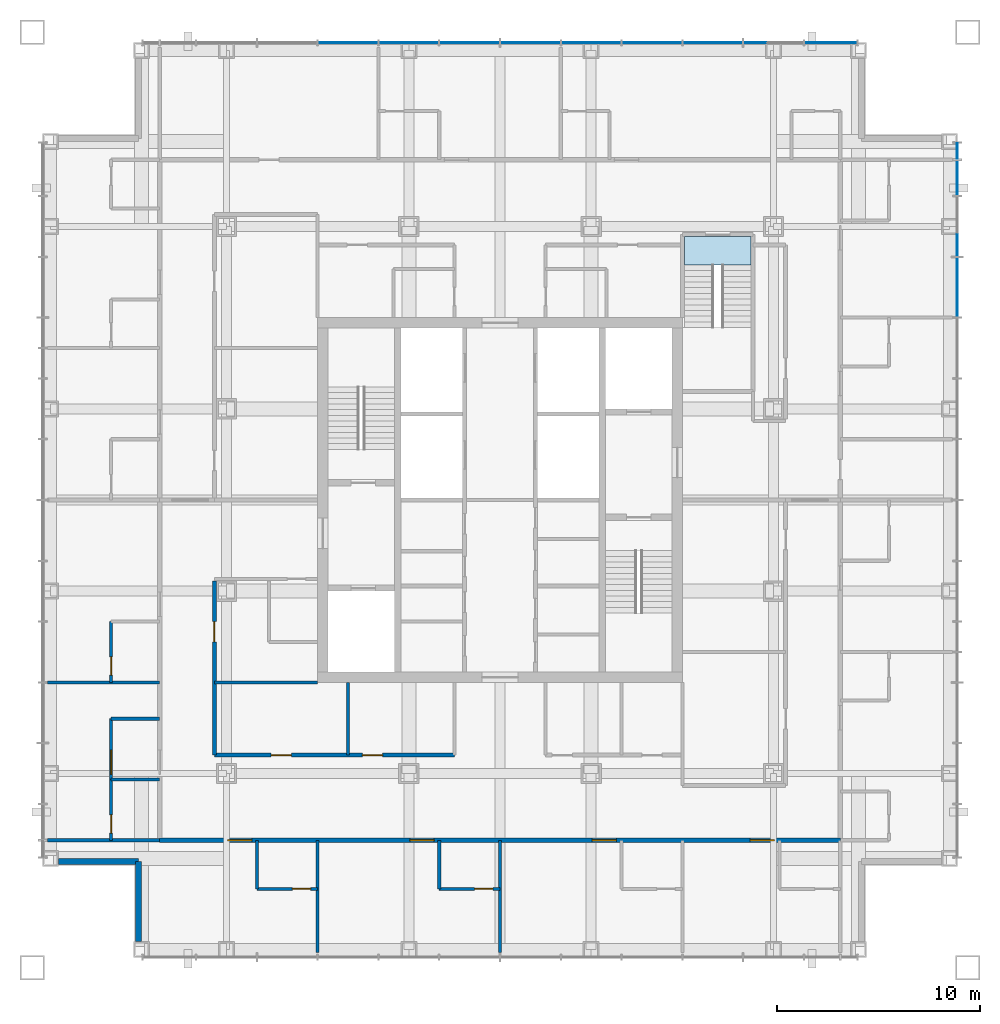
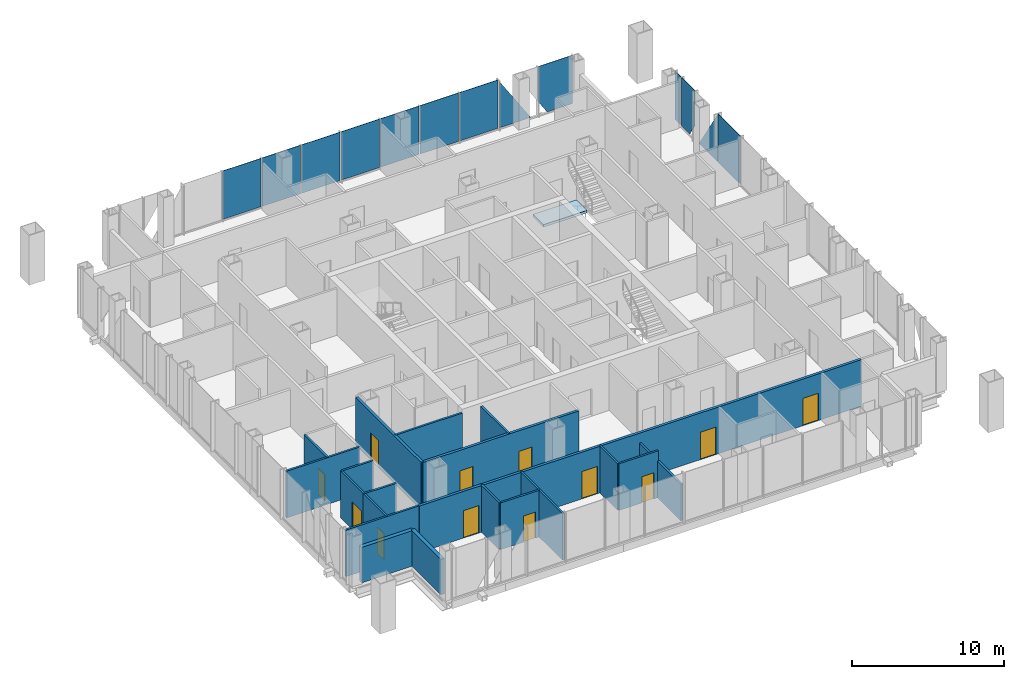
# One storey, part 7 of 12: 20 walls, 13 plates, 12 doors, 1 slab, 12 openings, 3 elements without a shape of their own.
"""IFC4 building model written with IfcOpenShell, lengths in metres."""

from ifc_helpers import new_model, si_unit, direction, frame, frame_2d, origin, origin_2d, place, context, subcontext, project, spatial, polyline, rectangle, outline, extrude, material, layer, layer_set, type_object, element, fill, aggregate, save


model = new_model("IFC4")

# Units and contexts
model_context = context("Model", 3, precision=1e-05, world=origin(), true_north=direction((0.0, 1.0)))
body_context = subcontext(model_context, "Body", "Model", "MODEL_VIEW")
ifc_project = project(units=[si_unit("LENGTHUNIT", "METRE"), si_unit("AREAUNIT", "SQUARE_METRE"), si_unit("VOLUMEUNIT", "CUBIC_METRE"), si_unit("PLANEANGLEUNIT", "RADIAN"), si_unit("MASSUNIT", "GRAM", prefix="KILO")], contexts=[model_context])

# Site, building, storey
site_placement = place(None, origin())
site = spatial("IfcSite", under=ifc_project, at=site_placement, CompositionType="ELEMENT")
building_placement = place(site_placement, origin())
building = spatial("IfcBuilding", under=site, at=building_placement, Name="Malebo Sky Hospital", CompositionType="ELEMENT")
storey_placement = place(building_placement, frame((0.0, 0.0, 221.0)))
storey = spatial("IfcBuildingStorey", under=building, at=storey_placement, Name="L53", CompositionType="ELEMENT", Elevation=221.0)

# Stair, slab
ifc_material_1 = material(Name="Concrete C40/50", Category="concrete")
stair_type = type_object("IfcStairType", Name="HALF-TURN STAIR 1400 R167", PredefinedType="HALF_TURN_STAIR", material=ifc_material_1)
stair_placement = place(storey_placement, origin())
stair = element("IfcStair", 1, at=stair_placement, inside=storey, type_object=stair_type, Name="Stair S3 L53 type ST1B", PredefinedType="HALF_TURN_STAIR")
ifc_layer_1 = layer(ifc_material_1, 0.199951171875)
ifc_layer_set_1 = layer_set([ifc_layer_1], Name="STAIR LANDING 200")
slab_type = type_object("IfcSlabType", Name="STAIR LANDING 200", PredefinedType="LANDING", material=ifc_layer_set_1)
slab_placement = place(storey_placement, frame((0.0, 0.0, -0.199951171875)))
slab = element("IfcSlab", 2, at=slab_placement, type_object=slab_type, Name="S3 landing 1", PredefinedType="LANDING", context=body_context, shape_type="SweptSolid", body=[
    extrude(outline(polyline([(69.10009765625, 73.60009765625), (72.39990234375, 73.60009765625), (72.39990234375, 75.0), (69.10009765625, 75.0), (69.10009765625, 73.60009765625)])), origin(), (0.0, 0.0, 1.0), 0.199951171875),
])
aggregate(stair, [slab])

# Curtain wall, plates
ifc_material_2 = material(Name="Anodised aluminium, natural silver", Category="aluminium")
ifc_layer_2 = layer(ifc_material_2, 0.25)
ifc_layer_set_2 = layer_set([ifc_layer_2], Name="WARD CURTAIN WALL NORTH AND SOUTH")
curtain_wall_type_1 = type_object("IfcCurtainWallType", Name="WARD CURTAIN WALL NORTH AND SOUTH", PredefinedType="NOTDEFINED", material=ifc_layer_set_2)
curtain_wall_1_placement = place(storey_placement, origin())
curtain_wall_1 = element("IfcCurtainWall", 3, at=curtain_wall_1_placement, inside=storey, type_object=curtain_wall_type_1, Name="NS curtain wall N", PredefinedType="NOTDEFINED")
ifc_material_3 = material(Name="Clear low-iron double glazing", Category="glass")
ifc_layer_3 = layer(ifc_material_3, 0.031982421875)
ifc_layer_set_3 = layer_set([ifc_layer_3], Name="VISION PANEL CLEAR 32")
plate_type = type_object("IfcPlateType", Name="VISION PANEL CLEAR 32", PredefinedType="CURTAIN_PANEL", material=ifc_layer_set_3)
plate_1_placement = place(storey_placement, frame((52.5, 84.574951171875, 0.10009765625), z_axis=(0.0, 0.0, 1.0), x_axis=(1.0, 0.0, 0.0)))
plate_1 = element("IfcPlate", 4, at=plate_1_placement, type_object=plate_type, Name="Panel 5", PredefinedType="CURTAIN_PANEL", context=body_context, shape_type="SweptSolid", body=[
    extrude(rectangle(XDim=2.925048828125, YDim=0.031982421875, at=origin_2d()), origin(), (0.0, 0.0, 1.0), 3.889892578125),
])
plate_2_placement = place(storey_placement, frame((55.5, 84.574951171875, 0.10009765625), z_axis=(0.0, 0.0, 1.0), x_axis=(1.0, 0.0, 0.0)))
plate_2 = element("IfcPlate", 5, at=plate_2_placement, type_object=plate_type, Name="Panel 6", PredefinedType="CURTAIN_PANEL", context=body_context, shape_type="SweptSolid", body=[
    extrude(rectangle(XDim=2.925048828125, YDim=0.031982421875, at=origin_2d()), origin(), (0.0, 0.0, 1.0), 3.889892578125),
])
plate_3_placement = place(storey_placement, frame((58.5, 84.574951171875, 0.10009765625), z_axis=(0.0, 0.0, 1.0), x_axis=(1.0, 0.0, 0.0)))
plate_3 = element("IfcPlate", 6, at=plate_3_placement, type_object=plate_type, Name="Panel 7", PredefinedType="CURTAIN_PANEL", context=body_context, shape_type="SweptSolid", body=[
    extrude(rectangle(XDim=2.925048828125, YDim=0.031982421875, at=origin_2d()), origin(), (0.0, 0.0, 1.0), 3.889892578125),
])
plate_4_placement = place(storey_placement, frame((61.5, 84.574951171875, 0.10009765625), z_axis=(0.0, 0.0, 1.0), x_axis=(1.0, 0.0, 0.0)))
plate_4 = element("IfcPlate", 7, at=plate_4_placement, type_object=plate_type, Name="Panel 8", PredefinedType="CURTAIN_PANEL", context=body_context, shape_type="SweptSolid", body=[
    extrude(rectangle(XDim=2.925048828125, YDim=0.031982421875, at=origin_2d()), origin(), (0.0, 0.0, 1.0), 3.889892578125),
])
plate_5_placement = place(storey_placement, frame((64.5, 84.574951171875, 0.10009765625), z_axis=(0.0, 0.0, 1.0), x_axis=(1.0, 0.0, 0.0)))
plate_5 = element("IfcPlate", 8, at=plate_5_placement, type_object=plate_type, Name="Panel 9", PredefinedType="CURTAIN_PANEL", context=body_context, shape_type="SweptSolid", body=[
    extrude(rectangle(XDim=2.925048828125, YDim=0.031982421875, at=origin_2d()), origin(), (0.0, 0.0, 1.0), 3.889892578125),
])
plate_6_placement = place(storey_placement, frame((67.5, 84.574951171875, 0.10009765625), z_axis=(0.0, 0.0, 1.0), x_axis=(1.0, 0.0, 0.0)))
plate_6 = element("IfcPlate", 9, at=plate_6_placement, type_object=plate_type, Name="Panel 10", PredefinedType="CURTAIN_PANEL", context=body_context, shape_type="SweptSolid", body=[
    extrude(rectangle(XDim=2.925048828125, YDim=0.031982421875, at=origin_2d()), origin(), (0.0, 0.0, 1.0), 3.889892578125),
])
plate_7_placement = place(storey_placement, frame((70.5, 84.574951171875, 0.10009765625), z_axis=(0.0, 0.0, 1.0), x_axis=(1.0, 0.0, 0.0)))
plate_7 = element("IfcPlate", 10, at=plate_7_placement, type_object=plate_type, Name="Panel 11", PredefinedType="CURTAIN_PANEL", context=body_context, shape_type="SweptSolid", body=[
    extrude(outline(polyline([(-1.46240234375, 0.0), (1.46240234375, 0.0), (1.46240234375, 3.88427734375), (1.458740234375, 3.889892578125), (-1.46240234375, 3.889892578125), (-1.46240234375, 0.0)])), frame((0.0, 0.01611328125, 0.0), z_axis=(0.0, -1.0, 0.0), x_axis=(1.0, 0.0, 0.0)), (0.0, 0.0, 1.0), 0.031982421875),
])
plate_8_placement = place(storey_placement, frame((73.24609375, 84.574951171875, 0.10009765625), z_axis=(0.0, 0.0, 1.0), x_axis=(1.0, 0.0, 0.0)))
plate_8 = element("IfcPlate", 11, at=plate_8_placement, type_object=plate_type, Name="Panel 12", PredefinedType="CURTAIN_PANEL", context=body_context, shape_type="SweptSolid", body=[
    extrude(outline(polyline([(-1.208740234375, 0.0), (1.208740234375, 0.0), (-1.208740234375, 3.767333984375), (-1.208740234375, 0.0)])), frame((0.0, 0.01611328125, 0.0), z_axis=(0.0, -1.0, 0.0), x_axis=(1.0, 0.0, 0.0)), (0.0, 0.0, 1.0), 0.031982421875),
])
plate_9_placement = place(storey_placement, frame((76.331298828125, 84.574951171875, 0.10009765625), z_axis=(0.0, 0.0, 1.0), x_axis=(1.0, 0.0, 0.0)))
plate_9 = element("IfcPlate", 12, at=plate_9_placement, type_object=plate_type, Name="Panel 13", PredefinedType="CURTAIN_PANEL", context=body_context, shape_type="SweptSolid", body=[
    extrude(outline(polyline([(-0.627685546875, 0.0), (1.293701171875, 0.0), (1.293701171875, 3.889892578125), (-1.293701171875, 3.889892578125), (-1.293701171875, 1.0380859375), (-0.627685546875, 0.0)])), frame((0.0, 0.01611328125, 0.0), z_axis=(0.0, -1.0, 0.0), x_axis=(1.0, 0.0, 0.0)), (0.0, 0.0, 1.0), 0.031982421875),
])
aggregate(curtain_wall_1, [plate_1, plate_2, plate_3, plate_4, plate_5, plate_6, plate_7, plate_8, plate_9])

ifc_layer_4 = layer(ifc_material_2, 0.25)
ifc_layer_set_4 = layer_set([ifc_layer_4], Name="WARD CURTAIN WALL EAST AND WEST")
curtain_wall_type_2 = type_object("IfcCurtainWallType", Name="WARD CURTAIN WALL EAST AND WEST", PredefinedType="NOTDEFINED", material=ifc_layer_set_4)
curtain_wall_2_placement = place(storey_placement, origin())
curtain_wall_2 = element("IfcCurtainWall", 13, at=curtain_wall_2_placement, inside=storey, type_object=curtain_wall_type_2, Name="EW curtain wall E", PredefinedType="NOTDEFINED")
plate_10_placement = place(storey_placement, frame((82.574951171875, 79.231201171875, 0.10009765625), z_axis=(0.0, 0.0, 1.0), x_axis=(0.0, -1.0, 0.0)))
plate_10 = element("IfcPlate", 14, at=plate_10_placement, type_object=plate_type, Name="Panel 1", PredefinedType="CURTAIN_PANEL", context=body_context, shape_type="SweptSolid", body=[
    extrude(rectangle(XDim=0.78759765625, YDim=0.031982421875, at=origin_2d()), origin(), (0.0, 0.0, 1.0), 3.889892578125),
])
plate_11_placement = place(storey_placement, frame((82.574951171875, 77.89990234375, 0.10009765625), z_axis=(0.0, 0.0, 1.0), x_axis=(0.0, -1.0, 0.0)))
plate_11 = element("IfcPlate", 15, at=plate_11_placement, type_object=plate_type, Name="Panel 2", PredefinedType="CURTAIN_PANEL", context=body_context, shape_type="SweptSolid", body=[
    extrude(outline(polyline([(-0.862548828125, 0.0), (0.1962890625, 0.0), (0.862548828125, 1.0380859375), (0.862548828125, 3.889892578125), (-0.862548828125, 3.889892578125), (-0.862548828125, 0.0)])), frame((0.0, 0.01611328125, 0.0), z_axis=(0.0, -1.0, 0.0), x_axis=(1.0, 0.0, 0.0)), (0.0, 0.0, 1.0), 0.031982421875),
])
plate_12_placement = place(storey_placement, frame((82.574951171875, 75.24609375, 0.10009765625), z_axis=(0.0, 0.0, 1.0), x_axis=(0.0, -1.0, 0.0)))
plate_12 = element("IfcPlate", 16, at=plate_12_placement, type_object=plate_type, Name="Panel 3", PredefinedType="CURTAIN_PANEL", context=body_context, shape_type="SweptSolid", body=[
    extrude(outline(polyline([(-1.208740234375, 0.0), (1.208740234375, 0.0), (1.208740234375, 3.767333984375), (-1.208740234375, 0.0)])), frame((0.0, 0.01611328125, 0.0), z_axis=(0.0, -1.0, 0.0), x_axis=(1.0, 0.0, 0.0)), (0.0, 0.0, 1.0), 0.031982421875),
])
plate_13_placement = place(storey_placement, frame((82.574951171875, 72.5, 0.10009765625), z_axis=(0.0, 0.0, 1.0), x_axis=(0.0, -1.0, 0.0)))
plate_13 = element("IfcPlate", 17, at=plate_13_placement, type_object=plate_type, Name="Panel 4", PredefinedType="CURTAIN_PANEL", context=body_context, shape_type="SweptSolid", body=[
    extrude(outline(polyline([(-1.46240234375, 0.0), (1.46240234375, 0.0), (1.46240234375, 3.889892578125), (-1.458740234375, 3.889892578125), (-1.46240234375, 3.88427734375), (-1.46240234375, 0.0)])), frame((0.0, 0.01611328125, 0.0), z_axis=(0.0, -1.0, 0.0), x_axis=(1.0, 0.0, 0.0)), (0.0, 0.0, 1.0), 0.031982421875),
])
aggregate(curtain_wall_2, [plate_10, plate_11, plate_12, plate_13])

# Wall, opening, door
ifc_material_4 = material(Name="Gypsum board on steel studs", Category="steel")
ifc_layer_5 = layer(ifc_material_4, 0.199951171875)
ifc_layer_set_5 = layer_set([ifc_layer_5], Name="CORRIDOR WALL 200")
wall_type_1 = type_object("IfcWallType", Name="CORRIDOR WALL 200", PredefinedType="PARTITIONING", material=ifc_layer_set_5)
wall_1_placement = place(storey_placement, frame((45.89990234375, 49.39990234375, 0.0), z_axis=(0.0, 0.0, 1.0), x_axis=(0.0, 1.0, 0.0)))
wall_1 = element("IfcWall", 18, at=wall_1_placement, inside=storey, type_object=wall_type_1, Name="Corridor Wall 200 WCI1", PredefinedType="PARTITIONING", context=body_context, shape_type="SweptSolid", body=[
    extrude(rectangle(XDim=8.60009765625, YDim=0.199951171875, at=frame_2d((4.300048828125, 0.0))), origin(), (0.0, 0.0, 1.0), 3.75),
])
opening_1_placement = place(wall_1_placement, frame((5.60009765625, 0.0, 0.0)))
opening_1 = element("IfcOpeningElement", 19, at=opening_1_placement, cuts=wall_1, Name="Opening D03", PredefinedType="OPENING", context=body_context, shape_type="SweptSolid", body=[
    extrude(rectangle(XDim=1.0, YDim=2.10009765625, at=frame_2d((0.5, 1.050048828125))), frame((0.0, 0.10986328125, 0.0), z_axis=(0.0, -1.0, 0.0), x_axis=(1.0, 0.0, 0.0)), (0.0, 0.0, 1.0), 0.219970703125),
])
ifc_material_5 = material(Name="Hardwood-faced door leaf in steel frame", Category="steel")
door_type_1 = type_object("IfcDoorType", Name="ROOM DOOR 1000", OperationType="SINGLE_SWING_LEFT", PredefinedType="DOOR", material=ifc_material_5)
door_1_placement = place(opening_1_placement, origin())
door_1 = element("IfcDoor", 20, at=door_1_placement, inside=storey, type_object=door_type_1, Name="Medication room door", OperationType="SINGLE_SWING_LEFT", OverallHeight=2.10009765625, OverallWidth=1.0, PredefinedType="DOOR", context=body_context, shape_type="SweptSolid", body=[
    extrude(rectangle(XDim=1.0, YDim=2.10009765625, at=frame_2d((0.5, 1.050048828125))), frame((0.0, 0.02490234375, 0.0), z_axis=(0.0, -1.0, 0.0), x_axis=(1.0, 0.0, 0.0)), (0.0, 0.0, 1.0), 0.050048828125),
])
fill(opening_1, door_1)

# Wall, openings, doors
wall_2_placement = place(storey_placement, frame((76.800048828125, 45.199951171875, 0.0), z_axis=(0.0, 0.0, 1.0), x_axis=(-1.0, 0.0, 0.0)))
wall_2 = element("IfcWall", 21, at=wall_2_placement, inside=storey, type_object=wall_type_1, Name="Corridor Wall 200 SCO", PredefinedType="PARTITIONING", context=body_context, shape_type="SweptSolid", body=[
    extrude(rectangle(XDim=33.60009765625, YDim=0.199951171875, at=frame_2d((16.800048828125, 0.0))), origin(), (0.0, 0.0, 1.0), 3.75),
])
opening_2_placement = place(wall_2_placement, frame((3.25, 0.0, 0.0)))
opening_2 = element("IfcOpeningElement", 22, at=opening_2_placement, cuts=wall_2, Name="Opening D01", PredefinedType="OPENING", context=body_context, shape_type="SweptSolid", body=[
    extrude(rectangle(XDim=1.199951171875, YDim=2.199951171875, at=frame_2d((0.60009765625, 1.10009765625))), frame((0.0, 0.10986328125, 0.0), z_axis=(0.0, -1.0, 0.0), x_axis=(1.0, 0.0, 0.0)), (0.0, 0.0, 1.0), 0.219970703125),
])
opening_3_placement = place(wall_2_placement, frame((11.050048828125, 0.0, 0.0)))
opening_3 = element("IfcOpeningElement", 23, at=opening_3_placement, cuts=wall_2, Name="Opening D01", PredefinedType="OPENING", context=body_context, shape_type="SweptSolid", body=[
    extrude(rectangle(XDim=1.199951171875, YDim=2.199951171875, at=frame_2d((0.60009765625, 1.10009765625))), frame((0.0, 0.10986328125, 0.0), z_axis=(0.0, -1.0, 0.0), x_axis=(1.0, 0.0, 0.0)), (0.0, 0.0, 1.0), 0.219970703125),
])
opening_4_placement = place(wall_2_placement, frame((20.050048828125, 0.0, 0.0)))
opening_4 = element("IfcOpeningElement", 24, at=opening_4_placement, cuts=wall_2, Name="Opening D01", PredefinedType="OPENING", context=body_context, shape_type="SweptSolid", body=[
    extrude(rectangle(XDim=1.199951171875, YDim=2.199951171875, at=frame_2d((0.60009765625, 1.10009765625))), frame((0.0, 0.10986328125, 0.0), z_axis=(0.0, -1.0, 0.0), x_axis=(1.0, 0.0, 0.0)), (0.0, 0.0, 1.0), 0.219970703125),
])
opening_5_placement = place(wall_2_placement, frame((29.050048828125, 0.0, 0.0)))
opening_5 = element("IfcOpeningElement", 25, at=opening_5_placement, cuts=wall_2, Name="Opening D01", PredefinedType="OPENING", context=body_context, shape_type="SweptSolid", body=[
    extrude(rectangle(XDim=1.199951171875, YDim=2.199951171875, at=frame_2d((0.60009765625, 1.10009765625))), frame((0.0, 0.10986328125, 0.0), z_axis=(0.0, -1.0, 0.0), x_axis=(1.0, 0.0, 0.0)), (0.0, 0.0, 1.0), 0.219970703125),
])
door_type_2 = type_object("IfcDoorType", Name="BED DOOR 1200", OperationType="SINGLE_SWING_LEFT", PredefinedType="DOOR", material=ifc_material_5)
door_2_placement = place(opening_2_placement, origin())
door_2 = element("IfcDoor", 26, at=door_2_placement, inside=storey, type_object=door_type_2, Name="Two-bed room door", OperationType="SINGLE_SWING_LEFT", OverallHeight=2.199951171875, OverallWidth=1.199951171875, PredefinedType="DOOR", context=body_context, shape_type="SweptSolid", body=[
    extrude(rectangle(XDim=1.199951171875, YDim=2.199951171875, at=frame_2d((0.60009765625, 1.10009765625))), frame((0.0, 0.02490234375, 0.0), z_axis=(0.0, -1.0, 0.0), x_axis=(1.0, 0.0, 0.0)), (0.0, 0.0, 1.0), 0.050048828125),
])
fill(opening_2, door_2)
door_3_placement = place(opening_3_placement, origin())
door_3 = element("IfcDoor", 27, at=door_3_placement, inside=storey, type_object=door_type_2, Name="Two-bed room door", OperationType="SINGLE_SWING_LEFT", OverallHeight=2.199951171875, OverallWidth=1.199951171875, PredefinedType="DOOR", context=body_context, shape_type="SweptSolid", body=[
    extrude(rectangle(XDim=1.199951171875, YDim=2.199951171875, at=frame_2d((0.60009765625, 1.10009765625))), frame((0.0, 0.02490234375, 0.0), z_axis=(0.0, -1.0, 0.0), x_axis=(1.0, 0.0, 0.0)), (0.0, 0.0, 1.0), 0.050048828125),
])
fill(opening_3, door_3)
door_4_placement = place(opening_4_placement, origin())
door_4 = element("IfcDoor", 28, at=door_4_placement, inside=storey, type_object=door_type_2, Name="Two-bed room door", OperationType="SINGLE_SWING_LEFT", OverallHeight=2.199951171875, OverallWidth=1.199951171875, PredefinedType="DOOR", context=body_context, shape_type="SweptSolid", body=[
    extrude(rectangle(XDim=1.199951171875, YDim=2.199951171875, at=frame_2d((0.60009765625, 1.10009765625))), frame((0.0, 0.02490234375, 0.0), z_axis=(0.0, -1.0, 0.0), x_axis=(1.0, 0.0, 0.0)), (0.0, 0.0, 1.0), 0.050048828125),
])
fill(opening_4, door_4)
door_5_placement = place(opening_5_placement, origin())
door_5 = element("IfcDoor", 29, at=door_5_placement, inside=storey, type_object=door_type_2, Name="Two-bed room door", OperationType="SINGLE_SWING_LEFT", OverallHeight=2.199951171875, OverallWidth=1.199951171875, PredefinedType="DOOR", context=body_context, shape_type="SweptSolid", body=[
    extrude(rectangle(XDim=1.199951171875, YDim=2.199951171875, at=frame_2d((0.60009765625, 1.10009765625))), frame((0.0, 0.02490234375, 0.0), z_axis=(0.0, -1.0, 0.0), x_axis=(1.0, 0.0, 0.0)), (0.0, 0.0, 1.0), 0.050048828125),
])
fill(opening_5, door_5)

wall_3_placement = place(storey_placement, frame((57.75, 49.39990234375, 0.0), z_axis=(0.0, 0.0, 1.0), x_axis=(-1.0, 0.0, 0.0)))
wall_3 = element("IfcWall", 30, at=wall_3_placement, inside=storey, type_object=wall_type_1, Name="Corridor Wall 200 SCI2", PredefinedType="PARTITIONING", context=body_context, shape_type="SweptSolid", body=[
    extrude(rectangle(XDim=11.85009765625, YDim=0.199951171875, at=frame_2d((5.925048828125, 0.0))), origin(), (0.0, 0.0, 1.0), 3.75),
])
opening_6_placement = place(wall_3_placement, frame((3.550048828125, 0.0, 0.0)))
opening_6 = element("IfcOpeningElement", 31, at=opening_6_placement, cuts=wall_3, Name="Opening D03", PredefinedType="OPENING", context=body_context, shape_type="SweptSolid", body=[
    extrude(rectangle(XDim=1.0, YDim=2.10009765625, at=frame_2d((0.5, 1.050048828125))), frame((0.0, 0.10986328125, 0.0), z_axis=(0.0, -1.0, 0.0), x_axis=(1.0, 0.0, 0.0)), (0.0, 0.0, 1.0), 0.219970703125),
])
opening_7_placement = place(wall_3_placement, frame((8.050048828125, 0.0, 0.0)))
opening_7 = element("IfcOpeningElement", 32, at=opening_7_placement, cuts=wall_3, Name="Opening D03", PredefinedType="OPENING", context=body_context, shape_type="SweptSolid", body=[
    extrude(rectangle(XDim=1.0, YDim=2.10009765625, at=frame_2d((0.5, 1.050048828125))), frame((0.0, 0.10986328125, 0.0), z_axis=(0.0, -1.0, 0.0), x_axis=(1.0, 0.0, 0.0)), (0.0, 0.0, 1.0), 0.219970703125),
])
door_6_placement = place(opening_6_placement, origin())
door_6 = element("IfcDoor", 33, at=door_6_placement, inside=storey, type_object=door_type_1, Name="Clean utility room door", OperationType="SINGLE_SWING_RIGHT", OverallHeight=2.10009765625, OverallWidth=1.0, PredefinedType="DOOR", context=body_context, shape_type="SweptSolid", body=[
    extrude(rectangle(XDim=1.0, YDim=2.10009765625, at=frame_2d((0.5, 1.050048828125))), frame((0.0, 0.02490234375, 0.0), z_axis=(0.0, -1.0, 0.0), x_axis=(1.0, 0.0, 0.0)), (0.0, 0.0, 1.0), 0.050048828125),
])
fill(opening_6, door_6)
door_7_placement = place(opening_7_placement, origin())
door_7 = element("IfcDoor", 34, at=door_7_placement, inside=storey, type_object=door_type_1, Name="Parents' kitchen door", OperationType="SINGLE_SWING_RIGHT", OverallHeight=2.10009765625, OverallWidth=1.0, PredefinedType="DOOR", context=body_context, shape_type="SweptSolid", body=[
    extrude(rectangle(XDim=1.0, YDim=2.10009765625, at=frame_2d((0.5, 1.050048828125))), frame((0.0, 0.02490234375, 0.0), z_axis=(0.0, -1.0, 0.0), x_axis=(1.0, 0.0, 0.0)), (0.0, 0.0, 1.0), 0.050048828125),
])
fill(opening_7, door_7)

# Walls
ifc_material_6 = material(Name="Anodised aluminium rainscreen on steel framing", Category="steel")
ifc_layer_6 = layer(ifc_material_6, 0.300048828125)
ifc_layer_set_6 = layer_set([ifc_layer_6], Name="NOTCH RAINSCREEN WALL 300")
wall_type_2 = type_object("IfcWallType", Name="NOTCH RAINSCREEN WALL 300", PredefinedType="ELEMENTEDWALL", material=ifc_layer_set_6)
for number, where, z_axis, x_axis, name in (
    (35, (42.14990234375, 40.199951171875, 0.0), (0.0, 0.0, 1.0), (0.0, 1.0, 0.0), "Notch rainscreen wall S1 L53"),
    (36, (42.14990234375, 44.14990234375, 0.0), (0.0, 0.0, 1.0), (-1.0, 0.0, 0.0), "Notch rainscreen wall S2 L53"),
):
    element("IfcWall", number, at=place(storey_placement, frame(where, z_axis=z_axis, x_axis=x_axis)), inside=storey, type_object=wall_type_2, Name=name, PredefinedType="ELEMENTEDWALL", context=body_context, shape_type="SweptSolid", body=[
        extrude(rectangle(XDim=3.949951171875, YDim=0.300048828125, at=frame_2d((1.97509765625, 0.0))), origin(), (0.0, 0.0, 1.0), 2.85009765625),
    ])
ifc_layer_7 = layer(ifc_material_4, 0.14990234375)
ifc_layer_set_7 = layer_set([ifc_layer_7], Name="PARTITION 150")
wall_type_3 = type_object("IfcWallType", Name="PARTITION 150", PredefinedType="PARTITIONING", material=ifc_layer_set_7)
for number, where, z_axis, x_axis, name in (
    (37, (43.199951171875, 53.0, 0.0), (0.0, 0.0, 1.0), (-1.0, 0.0, 0.0), "Partition 150 WP-9.0"),
    (38, (43.199951171875, 45.199951171875, 0.0), (0.0, 0.0, 1.0), (-1.0, 0.0, 0.0), "Partition 150 WP0"),
):
    element("IfcWall", number, at=place(storey_placement, frame(where, z_axis=z_axis, x_axis=x_axis)), inside=storey, type_object=wall_type_3, Name=name, PredefinedType="PARTITIONING", context=body_context, shape_type="SweptSolid", body=[
        extrude(rectangle(XDim=5.550048828125, YDim=0.14990234375, at=frame_2d((2.77490234375, 0.0))), origin(), (0.0, 0.0, 1.0), 3.75),
    ])

# Wall, opening, door
wall_4_placement = place(storey_placement, frame((40.800048828125, 45.199951171875, 0.0), z_axis=(0.0, 0.0, 1.0), x_axis=(0.0, 1.0, 0.0)))
wall_4 = element("IfcWall", 39, at=wall_4_placement, inside=storey, type_object=wall_type_3, Name="Partition 150 WE0F", PredefinedType="PARTITIONING", context=body_context, shape_type="SweptSolid", body=[
    extrude(rectangle(XDim=3.0, YDim=0.14990234375, at=frame_2d((1.5, 0.0))), origin(), (0.0, 0.0, 1.0), 3.75),
])
opening_8_placement = place(wall_4_placement, frame((0.35009765625, 0.0, 0.0)))
opening_8 = element("IfcOpeningElement", 40, at=opening_8_placement, cuts=wall_4, Name="Opening D02", PredefinedType="OPENING", context=body_context, shape_type="SweptSolid", body=[
    extrude(rectangle(XDim=0.89990234375, YDim=2.10009765625, at=frame_2d((0.449951171875, 1.050048828125))), frame((0.0, 0.0849609375, 0.0), z_axis=(0.0, -1.0, 0.0), x_axis=(1.0, 0.0, 0.0)), (0.0, 0.0, 1.0), 0.169921875),
])
door_type_3 = type_object("IfcDoorType", Name="EN-SUITE DOOR 900", OperationType="SINGLE_SWING_LEFT", PredefinedType="DOOR", material=ifc_material_5)
door_8_placement = place(opening_8_placement, origin())
door_8 = element("IfcDoor", 41, at=door_8_placement, inside=storey, type_object=door_type_3, Name="En-suite door", OperationType="SINGLE_SWING_LEFT", OverallHeight=2.10009765625, OverallWidth=0.89990234375, PredefinedType="DOOR", context=body_context, shape_type="SweptSolid", body=[
    extrude(rectangle(XDim=0.89990234375, YDim=2.10009765625, at=frame_2d((0.449951171875, 1.050048828125))), frame((0.0, 0.02490234375, 0.0), z_axis=(0.0, -1.0, 0.0), x_axis=(1.0, 0.0, 0.0)), (0.0, 0.0, 1.0), 0.050048828125),
])
fill(opening_8, door_8)

# Wall
wall_5_placement = place(storey_placement, frame((43.199951171875, 48.199951171875, 0.0), z_axis=(0.0, 0.0, 1.0), x_axis=(-1.0, 0.0, 0.0)))
element("IfcWall", 42, at=wall_5_placement, inside=storey, type_object=wall_type_3, Name="Partition 150 WE0S", PredefinedType="PARTITIONING", context=body_context, shape_type="SweptSolid", body=[
    extrude(rectangle(XDim=2.39990234375, YDim=0.14990234375, at=frame_2d((1.199951171875, 0.0))), origin(), (0.0, 0.0, 1.0), 3.75),
])

# Wall, opening, door
wall_6_placement = place(storey_placement, frame((40.800048828125, 53.0, 0.0), z_axis=(0.0, 0.0, 1.0), x_axis=(0.0, 1.0, 0.0)))
wall_6 = element("IfcWall", 43, at=wall_6_placement, inside=storey, type_object=wall_type_3, Name="Partition 150 WE1F", PredefinedType="PARTITIONING", context=body_context, shape_type="SweptSolid", body=[
    extrude(rectangle(XDim=3.0, YDim=0.14990234375, at=frame_2d((1.5, 0.0))), origin(), (0.0, 0.0, 1.0), 3.75),
])
opening_9_placement = place(wall_6_placement, frame((0.35009765625, 0.0, 0.0)))
opening_9 = element("IfcOpeningElement", 44, at=opening_9_placement, cuts=wall_6, Name="Opening D02", PredefinedType="OPENING", context=body_context, shape_type="SweptSolid", body=[
    extrude(rectangle(XDim=0.89990234375, YDim=2.10009765625, at=frame_2d((0.449951171875, 1.050048828125))), frame((0.0, 0.0849609375, 0.0), z_axis=(0.0, -1.0, 0.0), x_axis=(1.0, 0.0, 0.0)), (0.0, 0.0, 1.0), 0.169921875),
])
door_9_placement = place(opening_9_placement, origin())
door_9 = element("IfcDoor", 45, at=door_9_placement, inside=storey, type_object=door_type_3, Name="En-suite door", OperationType="SINGLE_SWING_LEFT", OverallHeight=2.10009765625, OverallWidth=0.89990234375, PredefinedType="DOOR", context=body_context, shape_type="SweptSolid", body=[
    extrude(rectangle(XDim=0.89990234375, YDim=2.10009765625, at=frame_2d((0.449951171875, 1.050048828125))), frame((0.0, 0.02490234375, 0.0), z_axis=(0.0, -1.0, 0.0), x_axis=(1.0, 0.0, 0.0)), (0.0, 0.0, 1.0), 0.050048828125),
])
fill(opening_9, door_9)

# Walls
wall_7_placement = place(storey_placement, frame((51.0, 53.0, 0.0), z_axis=(0.0, 0.0, 1.0), x_axis=(-1.0, 0.0, 0.0)))
element("IfcWall", 46, at=wall_7_placement, inside=storey, type_object=wall_type_3, Name="Partition 150 WSP0", PredefinedType="PARTITIONING", context=body_context, shape_type="SweptSolid", body=[
    extrude(rectangle(XDim=5.10009765625, YDim=0.14990234375, at=frame_2d((2.550048828125, 0.0))), origin(), (0.0, 0.0, 1.0), 3.75),
])
wall_8_placement = place(storey_placement, frame((60.0, 45.199951171875, 0.0), z_axis=(0.0, 0.0, 1.0), x_axis=(0.0, -1.0, 0.0)))
element("IfcWall", 47, at=wall_8_placement, inside=storey, type_object=wall_type_3, Name="Partition 150 SP+0.0", PredefinedType="PARTITIONING", context=body_context, shape_type="SweptSolid", body=[
    extrude(rectangle(XDim=5.550048828125, YDim=0.14990234375, at=frame_2d((2.77490234375, 0.0))), origin(), (0.0, 0.0, 1.0), 2.949951171875),
])
wall_9_placement = place(storey_placement, frame((51.0, 45.199951171875, 0.0), z_axis=(0.0, 0.0, 1.0), x_axis=(0.0, -1.0, 0.0)))
element("IfcWall", 48, at=wall_9_placement, inside=storey, type_object=wall_type_3, Name="Partition 150 SP+9.0", PredefinedType="PARTITIONING", context=body_context, shape_type="SweptSolid", body=[
    extrude(rectangle(XDim=5.550048828125, YDim=0.14990234375, at=frame_2d((2.77490234375, 0.0))), origin(), (0.0, 0.0, 1.0), 3.75),
])

# Wall, opening, door
wall_10_placement = place(storey_placement, frame((60.0, 42.800048828125, 0.0), z_axis=(0.0, 0.0, 1.0), x_axis=(-1.0, 0.0, 0.0)))
wall_10 = element("IfcWall", 49, at=wall_10_placement, inside=storey, type_object=wall_type_3, Name="Partition 150 SE2F", PredefinedType="PARTITIONING", context=body_context, shape_type="SweptSolid", body=[
    extrude(rectangle(XDim=3.0, YDim=0.14990234375, at=frame_2d((1.5, 0.0))), origin(), (0.0, 0.0, 1.0), 3.75),
])
opening_10_placement = place(wall_10_placement, frame((0.35009765625, 0.0, 0.0)))
opening_10 = element("IfcOpeningElement", 50, at=opening_10_placement, cuts=wall_10, Name="Opening D02", PredefinedType="OPENING", context=body_context, shape_type="SweptSolid", body=[
    extrude(rectangle(XDim=0.89990234375, YDim=2.10009765625, at=frame_2d((0.449951171875, 1.050048828125))), frame((0.0, 0.0849609375, 0.0), z_axis=(0.0, -1.0, 0.0), x_axis=(1.0, 0.0, 0.0)), (0.0, 0.0, 1.0), 0.169921875),
])
door_10_placement = place(opening_10_placement, origin())
door_10 = element("IfcDoor", 51, at=door_10_placement, inside=storey, type_object=door_type_3, Name="En-suite door", OperationType="SINGLE_SWING_LEFT", OverallHeight=2.10009765625, OverallWidth=0.89990234375, PredefinedType="DOOR", context=body_context, shape_type="SweptSolid", body=[
    extrude(rectangle(XDim=0.89990234375, YDim=2.10009765625, at=frame_2d((0.449951171875, 1.050048828125))), frame((0.0, 0.02490234375, 0.0), z_axis=(0.0, -1.0, 0.0), x_axis=(1.0, 0.0, 0.0)), (0.0, 0.0, 1.0), 0.050048828125),
])
fill(opening_10, door_10)

# Wall
wall_11_placement = place(storey_placement, frame((57.0, 45.199951171875, 0.0), z_axis=(0.0, 0.0, 1.0), x_axis=(0.0, -1.0, 0.0)))
element("IfcWall", 52, at=wall_11_placement, inside=storey, type_object=wall_type_3, Name="Partition 150 SE2S", PredefinedType="PARTITIONING", context=body_context, shape_type="SweptSolid", body=[
    extrude(rectangle(XDim=2.39990234375, YDim=0.14990234375, at=frame_2d((1.199951171875, 0.0))), origin(), (0.0, 0.0, 1.0), 3.75),
])

# Wall, opening, door
wall_12_placement = place(storey_placement, frame((51.0, 42.800048828125, 0.0), z_axis=(0.0, 0.0, 1.0), x_axis=(-1.0, 0.0, 0.0)))
wall_12 = element("IfcWall", 53, at=wall_12_placement, inside=storey, type_object=wall_type_3, Name="Partition 150 SE3F", PredefinedType="PARTITIONING", context=body_context, shape_type="SweptSolid", body=[
    extrude(rectangle(XDim=3.0, YDim=0.14990234375, at=frame_2d((1.5, 0.0))), origin(), (0.0, 0.0, 1.0), 3.75),
])
opening_11_placement = place(wall_12_placement, frame((0.35009765625, 0.0, 0.0)))
opening_11 = element("IfcOpeningElement", 54, at=opening_11_placement, cuts=wall_12, Name="Opening D02", PredefinedType="OPENING", context=body_context, shape_type="SweptSolid", body=[
    extrude(rectangle(XDim=0.89990234375, YDim=2.10009765625, at=frame_2d((0.449951171875, 1.050048828125))), frame((0.0, 0.0849609375, 0.0), z_axis=(0.0, -1.0, 0.0), x_axis=(1.0, 0.0, 0.0)), (0.0, 0.0, 1.0), 0.169921875),
])
door_11_placement = place(opening_11_placement, origin())
door_11 = element("IfcDoor", 55, at=door_11_placement, inside=storey, type_object=door_type_3, Name="En-suite door", OperationType="SINGLE_SWING_LEFT", OverallHeight=2.10009765625, OverallWidth=0.89990234375, PredefinedType="DOOR", context=body_context, shape_type="SweptSolid", body=[
    extrude(rectangle(XDim=0.89990234375, YDim=2.10009765625, at=frame_2d((0.449951171875, 1.050048828125))), frame((0.0, 0.02490234375, 0.0), z_axis=(0.0, -1.0, 0.0), x_axis=(1.0, 0.0, 0.0)), (0.0, 0.0, 1.0), 0.050048828125),
])
fill(opening_11, door_11)

# Walls
wall_13_placement = place(storey_placement, frame((48.0, 45.199951171875, 0.0), z_axis=(0.0, 0.0, 1.0), x_axis=(0.0, -1.0, 0.0)))
element("IfcWall", 56, at=wall_13_placement, inside=storey, type_object=wall_type_3, Name="Partition 150 SE3S", PredefinedType="PARTITIONING", context=body_context, shape_type="SweptSolid", body=[
    extrude(rectangle(XDim=2.39990234375, YDim=0.14990234375, at=frame_2d((1.199951171875, 0.0))), origin(), (0.0, 0.0, 1.0), 3.75),
])
wall_14_placement = place(storey_placement, frame((52.5, 53.0, 0.0), z_axis=(0.0, 0.0, 1.0), x_axis=(0.0, -1.0, 0.0)))
element("IfcWall", 57, at=wall_14_placement, inside=storey, type_object=wall_type_3, Name="Partition 150 SSP+7.5", PredefinedType="PARTITIONING", context=body_context, shape_type="SweptSolid", body=[
    extrude(rectangle(XDim=3.60009765625, YDim=0.14990234375, at=frame_2d((1.800048828125, 0.0))), origin(), (0.0, 0.0, 1.0), 3.75),
])

# Wall, opening, door
ifc_material_7 = material(Name="Sealed gypsum board on steel studs, taped to the slab", Category="steel")
ifc_layer_8 = layer(ifc_material_7, 0.14990234375)
ifc_layer_set_8 = layer_set([ifc_layer_8], Name="SEALED ISOLATION PARTITION 150")
wall_type_4 = type_object("IfcWallType", Name="SEALED ISOLATION PARTITION 150", PredefinedType="PARTITIONING", material=ifc_layer_set_8)
wall_15_placement = place(storey_placement, frame((40.800048828125, 48.199951171875, 0.0), z_axis=(0.0, 0.0, 1.0), x_axis=(0.0, 1.0, 0.0)))
wall_15 = element("IfcWall", 58, at=wall_15_placement, inside=storey, type_object=wall_type_4, Name="Sealed Isolation Partition 150 WA0F", PredefinedType="PARTITIONING", context=body_context, shape_type="SweptSolid", body=[
    extrude(rectangle(XDim=3.0, YDim=0.14990234375, at=frame_2d((1.5, 0.0))), origin(), (0.0, 0.0, 1.0), 3.75),
])
opening_12_placement = place(wall_15_placement, frame((0.25, 0.0, 0.0)))
opening_12 = element("IfcOpeningElement", 59, at=opening_12_placement, cuts=wall_15, Name="Opening D19", PredefinedType="OPENING", context=body_context, shape_type="SweptSolid", body=[
    extrude(rectangle(XDim=1.199951171875, YDim=2.199951171875, at=frame_2d((0.60009765625, 1.10009765625))), frame((0.0, 0.0849609375, 0.0), z_axis=(0.0, -1.0, 0.0), x_axis=(1.0, 0.0, 0.0)), (0.0, 0.0, 1.0), 0.169921875),
])
ifc_material_8 = material(Name="Hardwood-faced door leaf with perimeter seals in steel frame", Category="steel")
door_type_4 = type_object("IfcDoorType", Name="SEALED ISOLATION ROOM DOOR 1200", OperationType="SINGLE_SWING_LEFT", PredefinedType="DOOR", material=ifc_material_8)
door_12_placement = place(opening_12_placement, origin())
door_12 = element("IfcDoor", 60, at=door_12_placement, inside=storey, type_object=door_type_4, Name="Isolation room door", OperationType="SINGLE_SWING_LEFT", OverallHeight=2.199951171875, OverallWidth=1.199951171875, PredefinedType="DOOR", context=body_context, shape_type="SweptSolid", body=[
    extrude(rectangle(XDim=1.199951171875, YDim=2.199951171875, at=frame_2d((0.60009765625, 1.10009765625))), frame((0.0, 0.02490234375, 0.0), z_axis=(0.0, -1.0, 0.0), x_axis=(1.0, 0.0, 0.0)), (0.0, 0.0, 1.0), 0.050048828125),
])
fill(opening_12, door_12)

# Wall
wall_16_placement = place(storey_placement, frame((43.199951171875, 51.199951171875, 0.0), z_axis=(0.0, 0.0, 1.0), x_axis=(-1.0, 0.0, 0.0)))
element("IfcWall", 61, at=wall_16_placement, inside=storey, type_object=wall_type_4, Name="Sealed Isolation Partition 150 WA0S", PredefinedType="PARTITIONING", context=body_context, shape_type="SweptSolid", body=[
    extrude(rectangle(XDim=2.39990234375, YDim=0.14990234375, at=frame_2d((1.199951171875, 0.0))), origin(), (0.0, 0.0, 1.0), 3.75),
])

save(model, "model.ifc")
